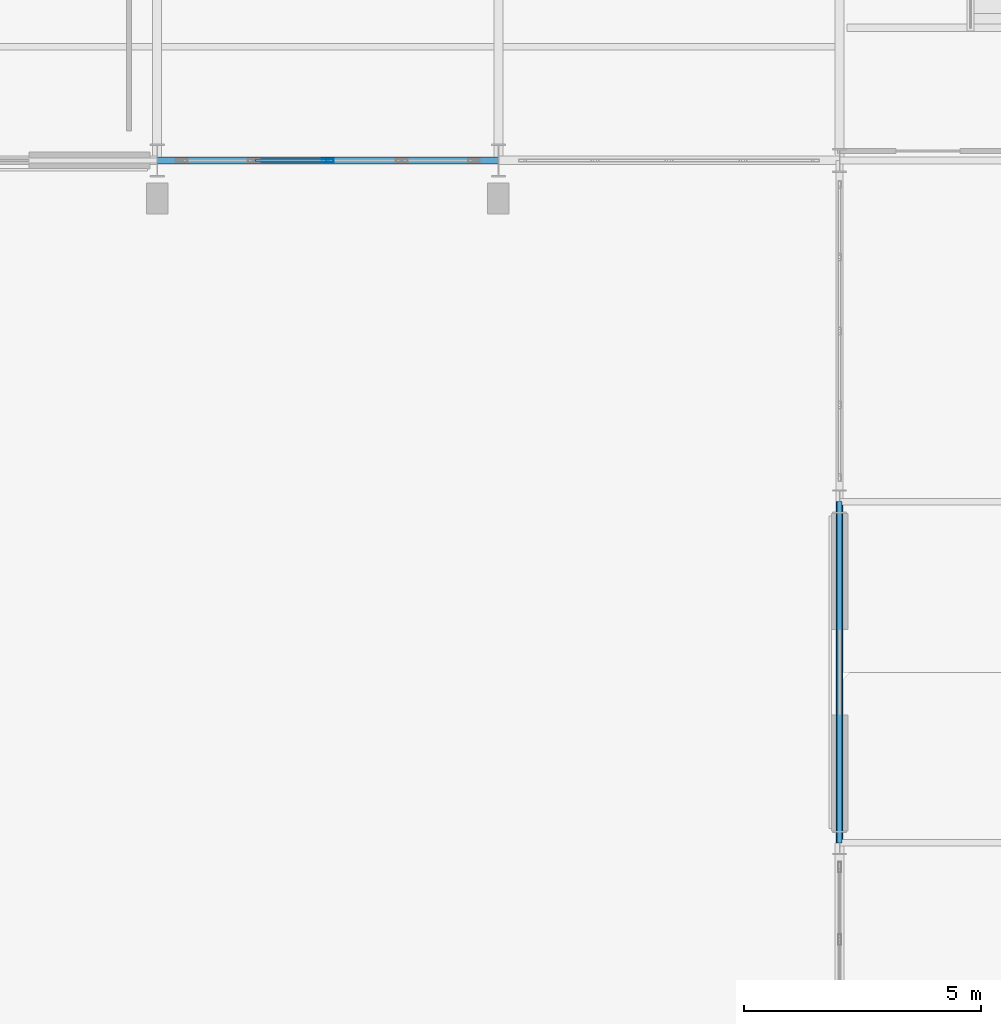
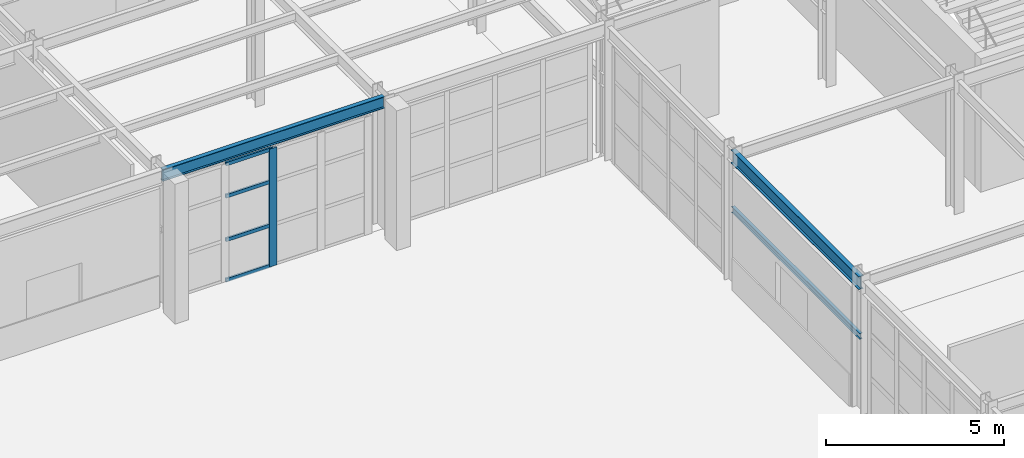
# One storey, part 30 of 83: 5 members, 3 beams, 1 element without a shape of its own.
"""IFC4 building model written with IfcOpenShell, lengths in metres."""

from ifc_helpers import new_model, si_unit, direction, frame, origin, origin_2d, place, context, subcontext, project, spatial, hollow_rectangle, i_section, extrude, material, layer, layer_set, material_profile, profile_set, type_object, element, aggregate, save


model = new_model("IFC4")

# Units and contexts
model_context = context("Model", 3, precision=1e-05, world=origin(), true_north=direction((0.0, 1.0)))
body_context = subcontext(model_context, "Body", "Model", "MODEL_VIEW")
ifc_project = project(units=[si_unit("LENGTHUNIT", "METRE"), si_unit("AREAUNIT", "SQUARE_METRE"), si_unit("VOLUMEUNIT", "CUBIC_METRE"), si_unit("PLANEANGLEUNIT", "RADIAN"), si_unit("MASSUNIT", "GRAM", prefix="KILO")], contexts=[model_context])

# Site, building, storey
site_placement = place(None, origin())
site = spatial("IfcSite", under=ifc_project, at=site_placement, CompositionType="ELEMENT")
building_placement = place(site_placement, origin())
building = spatial("IfcBuilding", under=site, at=building_placement, Name="Solvadek Multi-Sports Hall", CompositionType="ELEMENT")
storey_placement = place(building_placement, origin())
storey = spatial("IfcBuildingStorey", under=building, at=storey_placement, Name="L00", CompositionType="ELEMENT", Elevation=0.0)

# Curtain wall, members
ifc_material_1 = material(Name="Anodised aluminium", Category="aluminium")
ifc_layer = layer(ifc_material_1, 0.159912109375, Name="Anodised aluminium")
ifc_layer_set = layer_set([ifc_layer], Name="Anodised aluminium")
curtain_wall_type = type_object("IfcCurtainWallType", Name="ENV-CW-624X405", PredefinedType="USERDEFINED", material=ifc_layer_set)
curtain_wall_placement = place(storey_placement, origin())
curtain_wall = element("IfcCurtainWall", 1, at=curtain_wall_placement, inside=storey, type_object=curtain_wall_type, Name="L00 Perimeter Bay Curtain Wall #171", ObjectType="CURTAIN WALL", PredefinedType="USERDEFINED")
ifc_material_profile_1 = material_profile(ifc_material_1, hollow_rectangle(XDim=0.070068359375, YDim=0.25, WallThickness=0.0048828125, at=origin_2d()), Name="ALU-M 250x70x5")
ifc_profile_set_1 = profile_set([ifc_material_profile_1], Name="Anodised aluminium")
member_type_1 = type_object("IfcMemberType", Name="ENV-CWM-05", PredefinedType="MULLION", material=ifc_profile_set_1)
member_1_placement = place(storey_placement, frame((46.800048828125, 49.199951171875, 0.0), z_axis=(0.0, 0.0, 1.0), x_axis=(0.0, 1.0, 0.0)))
member_1 = element("IfcMember", 2, at=member_1_placement, type_object=member_type_1, Name="CW-52 mullion 3", PredefinedType="MULLION", context=body_context, shape_type="SweptSolid", body=[
    extrude(hollow_rectangle(XDim=0.070068359375, YDim=0.25, WallThickness=0.0048828125, at=origin_2d()), origin(), (0.0, 0.0, 1.0), 4.050048828125),
])
ifc_material_profile_2 = material_profile(ifc_material_1, hollow_rectangle(XDim=0.06005859375, YDim=0.1201171875, WallThickness=0.00390625, at=origin_2d()), Name="ALU-T 120x60x4")
ifc_profile_set_2 = profile_set([ifc_material_profile_2], Name="Anodised aluminium")
member_type_2 = type_object("IfcMemberType", Name="ENV-CWT-01", PredefinedType="USERDEFINED", material=ifc_profile_set_2)
member_2_placement = place(storey_placement, frame((45.27490234375, 49.199951171875, 0.030029296875), z_axis=(1.0, 0.0, 0.0), x_axis=(0.0, 1.0, 0.0)))
member_2 = element("IfcMember", 3, at=member_2_placement, type_object=member_type_2, Name="CW-52 transom 2.1", ObjectType="TRANSOM", PredefinedType="USERDEFINED", context=body_context, shape_type="SweptSolid", body=[
    extrude(hollow_rectangle(XDim=0.06005859375, YDim=0.1201171875, WallThickness=0.00390625, at=origin_2d()), origin(), (0.0, 0.0, 1.0), 1.489990234375),
])
member_3_placement = place(storey_placement, frame((45.27490234375, 49.199951171875, 1.4169921875), z_axis=(1.0, 0.0, 0.0), x_axis=(0.0, 1.0, 0.0)))
member_3 = element("IfcMember", 4, at=member_3_placement, type_object=member_type_2, Name="CW-52 transom 2.2", ObjectType="TRANSOM", PredefinedType="USERDEFINED", context=body_context, shape_type="SweptSolid", body=[
    extrude(hollow_rectangle(XDim=0.06005859375, YDim=0.1201171875, WallThickness=0.00390625, at=origin_2d()), origin(), (0.0, 0.0, 1.0), 1.489990234375),
])
member_4_placement = place(storey_placement, frame((45.27490234375, 49.199951171875, 2.916015625), z_axis=(1.0, 0.0, 0.0), x_axis=(0.0, 1.0, 0.0)))
member_4 = element("IfcMember", 5, at=member_4_placement, type_object=member_type_2, Name="CW-52 transom 2.3", ObjectType="TRANSOM", PredefinedType="USERDEFINED", context=body_context, shape_type="SweptSolid", body=[
    extrude(hollow_rectangle(XDim=0.06005859375, YDim=0.1201171875, WallThickness=0.00390625, at=origin_2d()), origin(), (0.0, 0.0, 1.0), 1.489990234375),
])
member_5_placement = place(storey_placement, frame((45.27490234375, 49.199951171875, 4.02001953125), z_axis=(1.0, 0.0, 0.0), x_axis=(0.0, 1.0, 0.0)))
member_5 = element("IfcMember", 6, at=member_5_placement, type_object=member_type_2, Name="CW-52 transom 2.4", ObjectType="TRANSOM", PredefinedType="USERDEFINED", context=body_context, shape_type="SweptSolid", body=[
    extrude(hollow_rectangle(XDim=0.06005859375, YDim=0.1201171875, WallThickness=0.00390625, at=origin_2d()), origin(), (0.0, 0.0, 1.0), 1.489990234375),
])
aggregate(curtain_wall, [member_1, member_2, member_3, member_4, member_5])

# Beams
ifc_material_2 = material(Name="Steel E350 (350 MPa)", Category="steel")
ifc_material_profile_3 = material_profile(ifc_material_2, i_section(OverallWidth=0.139892578125, OverallDepth=0.39990234375, WebThickness=0.0087890625, FlangeThickness=0.01611328125, at=origin_2d()), Name="ISMB 400")
ifc_profile_set_3 = profile_set([ifc_material_profile_3], Name="Steel E350 (350 MPa)")
beam_type_1 = type_object("IfcBeamType", Name="STR-BM-ISMB400", PredefinedType="BEAM", material=ifc_profile_set_3)
beam_1_placement = place(storey_placement, frame((43.199951171875, 49.199951171875, 4.3798828125), z_axis=(1.0, 0.0, 0.0), x_axis=(0.0, 1.0, 0.0)))
element("IfcBeam", 7, at=beam_1_placement, inside=storey, type_object=beam_type_1, Name="L00 Girder B-10 #609", PredefinedType="BEAM", context=body_context, shape_type="SweptSolid", body=[
    extrude(i_section(OverallWidth=0.139892578125, OverallDepth=0.39990234375, WebThickness=0.0087890625, FlangeThickness=0.01611328125, at=origin_2d()), origin(), (0.0, 0.0, 1.0), 7.199951171875),
])
ifc_material_profile_4 = material_profile(ifc_material_2, i_section(OverallWidth=0.14990234375, OverallDepth=0.449951171875, WebThickness=0.009521484375, FlangeThickness=0.017333984375, at=origin_2d()), Name="ISMB 450")
ifc_profile_set_4 = profile_set([ifc_material_profile_4], Name="Steel E350 (350 MPa)")
beam_type_2 = type_object("IfcBeamType", Name="STR-BM-ISMB450", PredefinedType="BEAM", material=ifc_profile_set_4)
beam_2_placement = place(storey_placement, frame((57.60009765625, 34.800048828125, 4.35498046875), z_axis=(0.0, 1.0, 0.0), x_axis=(-1.0, 0.0, 0.0)))
element("IfcBeam", 8, at=beam_2_placement, inside=storey, type_object=beam_type_2, Name="L00 Girder B-09 #826", PredefinedType="BEAM", context=body_context, shape_type="SweptSolid", body=[
    extrude(i_section(OverallWidth=0.14990234375, OverallDepth=0.449951171875, WebThickness=0.009521484375, FlangeThickness=0.017333984375, at=origin_2d()), origin(), (0.0, 0.0, 1.0), 7.199951171875),
])
ifc_material_3 = material(Name="Steel E250 (250 MPa)", Category="steel")
ifc_material_profile_5 = material_profile(ifc_material_3, i_section(OverallWidth=0.10009765625, OverallDepth=0.199951171875, WebThickness=0.005615234375, FlangeThickness=0.0107421875, at=origin_2d()), Name="ISMB 200")
ifc_profile_set_5 = profile_set([ifc_material_profile_5], Name="Steel E250 (250 MPa)")
beam_type_3 = type_object("IfcBeamType", Name="STR-LIN-ISMB200", PredefinedType="LINTEL", material=ifc_profile_set_5)
beam_3_placement = place(storey_placement, frame((57.60009765625, 34.800048828125, 2.52001953125), z_axis=(0.0, 1.0, 0.0), x_axis=(-1.0, 0.0, 0.0)))
element("IfcBeam", 9, at=beam_3_placement, inside=storey, type_object=beam_type_3, Name="L00 Opening Lintel #21", PredefinedType="LINTEL", context=body_context, shape_type="SweptSolid", body=[
    extrude(i_section(OverallWidth=0.10009765625, OverallDepth=0.199951171875, WebThickness=0.005615234375, FlangeThickness=0.0107421875, at=origin_2d()), origin(), (0.0, 0.0, 1.0), 7.199951171875),
])

save(model, "model.ifc")
